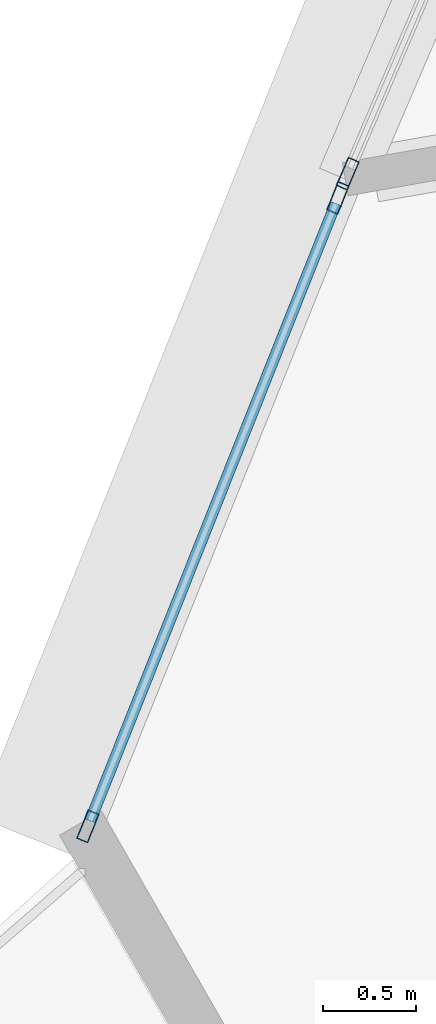
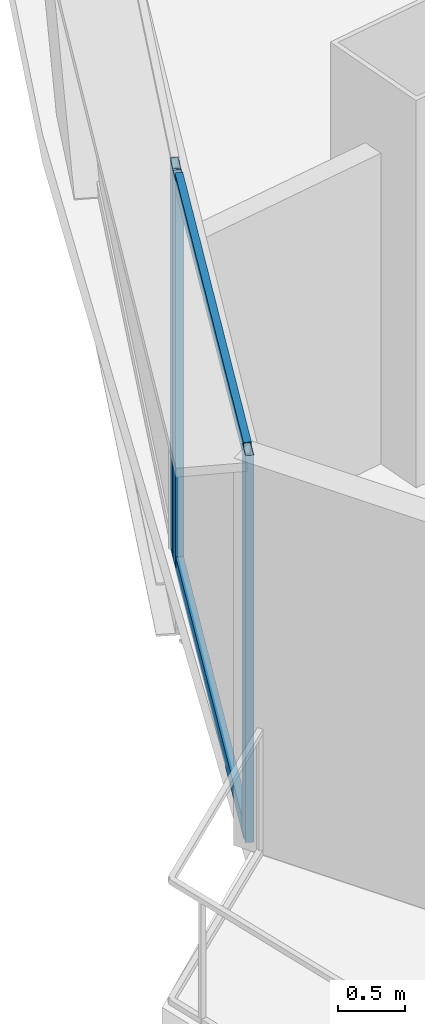
# One storey, part 4 of 37: 5 members, 2 elements without a shape of their own.
"""IFC4 building model written with IfcOpenShell, lengths in metres."""

import ifcopenshell
import ifcopenshell.guid

model = None  # the IFC model being written
_history = None  # IfcOwnerHistory: only IFC2X3 demands one
_inside = {}  # id of a spatial element -> (the spatial element, [elements in it])
_under = {}  # id of a project, library or spatial element -> (it, [spatial elements below it])
_declared = {}  # id of a project -> (the project, [libraries it declares])
_typed = {}  # id of a type object -> (the type object, [elements of that type])
_made_of = {}  # id of a material, layer set ... -> (it, [elements and type objects made of it])


def new_model(schema):
    """Start an empty IFC model of exactly this schema.

    Asked for "IFC4X3", IfcOpenShell would pick the latest addendum, in which some entities
    have other attributes; the version numbers below select the first issue.
    IFC2X3 requires an IfcOwnerHistory on every rooted entity: one is made here for all.
    """
    global model, _history
    if schema == "IFC4X3":
        model = ifcopenshell.file(schema_version=(4, 3, 0, 0))
    else:
        model = ifcopenshell.file(schema=schema)
    _inside.clear()
    _under.clear()
    _declared.clear()
    _typed.clear()
    _made_of.clear()
    _history = None
    if model.schema == "IFC2X3":
        org = make("IfcOrganization", Name="unknown")
        user = make(
            "IfcPersonAndOrganization",
            ThePerson=make("IfcPerson", FamilyName="unknown"),
            TheOrganization=org,
        )
        app = make(
            "IfcApplication",
            ApplicationDeveloper=org,
            Version="unknown",
            ApplicationFullName="unknown",
            ApplicationIdentifier="unknown",
        )
        _history = make(
            "IfcOwnerHistory",
            OwningUser=user,
            OwningApplication=app,
            ChangeAction="ADDED",
            CreationDate=0,
        )
    return model


def make(cls, **values):
    """One entity of the class cls with the attributes given. An attribute that is None is left unset."""
    return model.create_entity(
        cls, **{name: value for name, value in values.items() if value is not None}
    )


def rooted(cls, **values):
    """An entity with a GlobalId (a new one), such as an element, a storey or a relation."""
    return make(cls, GlobalId=ifcopenshell.guid.new(), OwnerHistory=_history, **values)


def si_unit(unit_type, name, prefix=None):
    """IfcSIUnit, for example si_unit("LENGTHUNIT", "METRE", prefix="MILLI")."""
    return make("IfcSIUnit", UnitType=unit_type, Prefix=prefix, Name=name)


def assignment(units):
    """IfcUnitAssignment: the units of a project."""
    return None if units is None else make("IfcUnitAssignment", Units=units)


def point(xyz):
    """IfcCartesianPoint."""
    return None if xyz is None else make("IfcCartesianPoint", Coordinates=xyz)


def direction(xyz):
    """IfcDirection."""
    return None if xyz is None else make("IfcDirection", DirectionRatios=xyz)


def frame(location, z_axis=None, x_axis=None):
    """IfcAxis2Placement3D, a coordinate frame: its origin and axes. An axis left out is left unset."""
    return make(
        "IfcAxis2Placement3D",
        Location=point(location),
        Axis=direction(z_axis),
        RefDirection=direction(x_axis),
    )


def frame_2d(location, x_axis=None):
    """IfcAxis2Placement2D, a coordinate frame in the plane: its origin and x axis."""
    return make(
        "IfcAxis2Placement2D", Location=point(location), RefDirection=direction(x_axis)
    )


def origin():
    """The frame at (0, 0, 0) with its axes left unset."""
    return frame((0.0, 0.0, 0.0))


def origin_2d():
    """The frame at (0, 0) in the plane with its x axis left unset."""
    return frame_2d((0.0, 0.0))


def place(relative_to, where):
    """IfcLocalPlacement: puts the frame where relative to a parent placement (None: the world)."""
    return make(
        "IfcLocalPlacement", PlacementRelTo=relative_to, RelativePlacement=where
    )


def context(
    kind, dimensions, precision=None, world=None, true_north=None, identifier=None
):
    """IfcGeometricRepresentationContext, for example the 3D "Model" context."""
    return make(
        "IfcGeometricRepresentationContext",
        ContextIdentifier=identifier,
        ContextType=kind,
        CoordinateSpaceDimension=dimensions,
        Precision=precision,
        WorldCoordinateSystem=world,
        TrueNorth=true_north,
    )


def subcontext(parent, identifier, kind, view, scale=None):
    """IfcGeometricRepresentationSubContext, for example "Body" below "Model"."""
    return make(
        "IfcGeometricRepresentationSubContext",
        ContextIdentifier=identifier,
        ContextType=kind,
        ParentContext=parent,
        TargetScale=scale,
        TargetView=view,
    )


def project(units=None, contexts=None):
    """IfcProject with its units and contexts."""
    return rooted(
        "IfcProject",
        Name="project",
        RepresentationContexts=contexts,
        UnitsInContext=assignment(units),
    )


def spatial(cls, under=None, at=None, **own):
    """A site, building, storey or space (cls), placed at a placement, below another one or the project."""
    s = rooted(cls, ObjectPlacement=at, **own)
    if under is not None:
        _under.setdefault(under.id(), (under, []))[1].append(s)
    return s


def profile(cls, at=None, kind="AREA", **sizes):
    """A parametric profile (cls). Its sizes go by their IFC names, for example OverallWidth=200.0."""
    return make(cls, ProfileType=kind, Position=at, **sizes)


def hollow_rectangle(**sizes):
    """IfcRectangleHollowProfileDef."""
    return profile("IfcRectangleHollowProfileDef", **sizes)


def extrude(swept, where, along, depth):
    """IfcExtrudedAreaSolid: the profile swept, set in the frame where, extruded along a direction by depth."""
    return make(
        "IfcExtrudedAreaSolid",
        SweptArea=swept,
        Position=where,
        ExtrudedDirection=direction(along),
        Depth=depth,
    )


def shape(context_of_items, identifier, shape_type, items):
    """IfcShapeRepresentation: the items that make up one representation, for example the "Body"."""
    return make(
        "IfcShapeRepresentation",
        ContextOfItems=context_of_items,
        RepresentationIdentifier=identifier,
        RepresentationType=shape_type,
        Items=items,
    )


def source(mapping_origin, context_of_items, identifier, shape_type, items):
    """IfcRepresentationMap: a shape defined once, which mapped items show again and again."""
    return make(
        "IfcRepresentationMap",
        MappingOrigin=mapping_origin,
        MappedRepresentation=shape(context_of_items, identifier, shape_type, items),
    )


def transform(
    local_origin,
    x_axis=None,
    y_axis=None,
    z_axis=None,
    scale=None,
    scale2=None,
    scale3=None,
    uniform=True,
):
    """IfcCartesianTransformationOperator3D, or its non-uniform kind. x_axis, y_axis, z_axis: its Axis1, 2, 3."""
    if uniform:
        return make(
            "IfcCartesianTransformationOperator3D",
            Axis1=direction(x_axis),
            Axis2=direction(y_axis),
            LocalOrigin=point(local_origin),
            Scale=scale,
            Axis3=direction(z_axis),
        )
    return make(
        "IfcCartesianTransformationOperator3DnonUniform",
        Axis1=direction(x_axis),
        Axis2=direction(y_axis),
        LocalOrigin=point(local_origin),
        Scale=scale,
        Axis3=direction(z_axis),
        Scale2=scale2,
        Scale3=scale3,
    )


def mapped(mapping_source, mapping_target):
    """IfcMappedItem: shows the shape of a source again, moved by a transform."""
    return make(
        "IfcMappedItem", MappingSource=mapping_source, MappingTarget=mapping_target
    )


def material(Name=None, Category=None):
    """IfcMaterial."""
    return make("IfcMaterial", Name=Name, Category=Category)


def layer(
    of_material, thickness, ventilated=None, Name=None, Category=None, Priority=None
):
    """IfcMaterialLayer: one layer of a wall or slab, of a material (None: an air gap)."""
    return make(
        "IfcMaterialLayer",
        Material=of_material,
        LayerThickness=thickness,
        IsVentilated=ventilated,
        Name=Name,
        Category=Category,
        Priority=Priority,
    )


def layer_set(layers, Name=None):
    """IfcMaterialLayerSet."""
    return make("IfcMaterialLayerSet", MaterialLayers=layers, LayerSetName=Name)


def material_profile(
    of_material, cross_section, Name=None, Category=None, Priority=None
):
    """IfcMaterialProfile: a cross section and its material."""
    return make(
        "IfcMaterialProfile",
        Name=Name,
        Material=of_material,
        Profile=cross_section,
        Priority=Priority,
        Category=Category,
    )


def profile_set(profiles, Name=None, composite=None):
    """IfcMaterialProfileSet."""
    return make(
        "IfcMaterialProfileSet",
        Name=Name,
        MaterialProfiles=profiles,
        CompositeProfile=composite,
    )


def made_of(thing, what):
    """Note that an element or type object is made of a material, layer set ...; save() writes the relation."""
    if what is not None:
        _made_of.setdefault(what.id(), (what, []))[1].append(thing)
    return thing


def type_object(cls, material=None, **own):
    """A type object (cls), such as IfcWallType, which elements share."""
    return made_of(rooted(cls, **own), material)


def element(
    cls,
    number,
    at=None,
    inside=None,
    cuts=None,
    type_object=None,
    material=None,
    context=None,
    identifier="Body",
    shape_type=None,
    held_by="IfcProductDefinitionShape",
    body=None,
    shapes=None,
    **own,
):
    """One element of the class cls, such as IfcWall. Its Tag is "e" and its number.

    at: its placement. inside: the storey or other place that contains it. cuts: it is an
    opening in that element (IfcRelVoidsElement). A single representation is given by context,
    identifier, shape_type and body (its items); several are given by shapes. held_by: the class
    of the entity that holds the representations. save() writes the other relations.
    """
    e = rooted(cls, Tag="e%d" % number, ObjectPlacement=at, **own)
    if body is not None:
        shapes = [shape(context, identifier, shape_type, body)]
    if shapes is not None:
        e.Representation = make(held_by, Representations=shapes)
    if inside is not None:
        _inside.setdefault(inside.id(), (inside, []))[1].append(e)
    if cuts is not None:
        rooted(
            "IfcRelVoidsElement", RelatingBuildingElement=cuts, RelatedOpeningElement=e
        )
    if type_object is not None:
        _typed.setdefault(type_object.id(), (type_object, []))[1].append(e)
    return made_of(e, material)


def aggregate(whole, parts):
    """IfcRelAggregates: a whole, such as a stair, and the parts it consists of."""
    return rooted("IfcRelAggregates", RelatingObject=whole, RelatedObjects=parts)


def save(model, path):
    """Write the relations noted so far, then the file.

    IfcRelAggregates (storeys below a building ...), IfcRelContainedInSpatialStructure (elements
    in a storey), IfcRelDefinesByType, IfcRelAssociatesMaterial and IfcRelDeclares: one each for
    every whole, place, type object, material and project.
    """
    for whole, parts in _under.values():
        aggregate(whole, parts)
    for where, things in _inside.values():
        rooted(
            "IfcRelContainedInSpatialStructure",
            RelatedElements=things,
            RelatingStructure=where,
        )
    for kind, things in _typed.values():
        rooted("IfcRelDefinesByType", RelatedObjects=things, RelatingType=kind)
    for what, things in _made_of.values():
        rooted("IfcRelAssociatesMaterial", RelatedObjects=things, RelatingMaterial=what)
    for by, libraries in _declared.values():
        rooted("IfcRelDeclares", RelatingContext=by, RelatedDefinitions=libraries)
    model.write(path)


model = new_model("IFC4")

# Units and contexts
model_context = context("Model", 3, precision=1e-05, world=origin(), true_north=direction((0.0, 1.0)))
body_context = subcontext(model_context, "Body", "Model", "MODEL_VIEW")
ifc_project = project(units=[si_unit("LENGTHUNIT", "METRE"), si_unit("AREAUNIT", "SQUARE_METRE"), si_unit("VOLUMEUNIT", "CUBIC_METRE"), si_unit("PLANEANGLEUNIT", "RADIAN"), si_unit("MASSUNIT", "GRAM", prefix="KILO"), si_unit("THERMODYNAMICTEMPERATUREUNIT", "KELVIN"), si_unit("POWERUNIT", "WATT")], contexts=[model_context])

# Site, building, storey
site_placement = place(None, origin())
site = spatial("IfcSite", under=ifc_project, at=site_placement, CompositionType="ELEMENT")
building_placement = place(site_placement, origin())
building = spatial("IfcBuilding", under=site, at=building_placement, Name="Yunzhuo Pagoda Commons", CompositionType="ELEMENT")
storey_placement = place(building_placement, frame((0.0, 0.0, 84.97998046875)))
storey = spatial("IfcBuildingStorey", under=building, at=storey_placement, Name="L21", CompositionType="ELEMENT", Elevation=84.97998046875)

# Curtain wall, member
ifc_material = material(Name="Anodized aluminium 6063-T6", Category="aluminium")
ifc_layer = layer(ifc_material, 0.1650390625)
ifc_layer_set = layer_set([ifc_layer], Name="Anodized aluminium 6063-T6")
curtain_wall_type = type_object("IfcCurtainWallType", Name="CW-LOW Low-Zone Ribbon Curtain Wall", PredefinedType="NOTDEFINED", material=ifc_layer_set)
curtain_wall_1_placement = place(storey_placement, origin())
curtain_wall_1 = element("IfcCurtainWall", 1, at=curtain_wall_1_placement, inside=storey, type_object=curtain_wall_type, Name="L21 curtain wall CW-L21-F3B4", PredefinedType="NOTDEFINED")
ifc_material_profile_1 = material_profile(ifc_material, hollow_rectangle(XDim=0.06494140625, YDim=0.1650390625, WallThickness=0.00390625, at=origin_2d()), Name="Anodized aluminium 6063-T6")
ifc_profile_set_1 = profile_set([ifc_material_profile_1], Name="Anodized aluminium 6063-T6")
member_type_1 = type_object("IfcMemberType", Name="CW-LOW-M Mullion RHS 165x65x4", PredefinedType="MULLION", material=ifc_profile_set_1)
shared_shape_1 = source(origin(), body_context, "Body", "SweptSolid", [
    extrude(hollow_rectangle(XDim=0.06494140625, YDim=0.1650390625, WallThickness=0.00390625, at=origin_2d()), origin(), (0.0, 0.0, 1.0), 3.5400390625),
])
member_1_placement = place(storey_placement, frame((7.270263671875, 26.545654296875, 0.000244140625), z_axis=(0.0, 0.0, 1.0), x_axis=(0.919250024103, -0.39367422215, 0.0)))
member_1 = element("IfcMember", 2, at=member_1_placement, type_object=member_type_1, Name="CW mullion 2", PredefinedType="MULLION", context=body_context, shape_type="MappedRepresentation", body=[
    mapped(shared_shape_1, transform((0.0, 0.0, 0.0), scale=1.0)),
])
aggregate(curtain_wall_1, [member_1])

# Curtain wall, members
curtain_wall_2_placement = place(storey_placement, origin())
curtain_wall_2 = element("IfcCurtainWall", 3, at=curtain_wall_2_placement, inside=storey, type_object=curtain_wall_type, Name="L21 curtain wall CW-L21-F3B5", PredefinedType="NOTDEFINED")
member_2_placement = place(storey_placement, frame((7.217529296875, 26.416015625, 0.000244140625), z_axis=(0.0, 0.0, 1.0), x_axis=(0.929170333828, -0.369651850711, 0.0)))
member_2 = element("IfcMember", 4, at=member_2_placement, type_object=member_type_1, Name="CW mullion 1", PredefinedType="MULLION", context=body_context, shape_type="MappedRepresentation", body=[
    mapped(shared_shape_1, transform((0.0, 0.0, 0.0), scale=1.0)),
])
member_3_placement = place(storey_placement, frame((5.87744140625, 23.0478515625, 0.000244140625), z_axis=(0.0, 0.0, 1.0), x_axis=(0.929170333828, -0.369651850711, 0.0)))
member_3 = element("IfcMember", 5, at=member_3_placement, type_object=member_type_1, Name="CW mullion 2", PredefinedType="MULLION", context=body_context, shape_type="MappedRepresentation", body=[
    mapped(shared_shape_1, transform((0.0, 0.0, 0.0), scale=1.0)),
])
ifc_material_profile_2 = material_profile(ifc_material, hollow_rectangle(XDim=0.06005859375, YDim=0.139892578125, WallThickness=0.00341796875, at=origin_2d()), Name="Anodized aluminium 6063-T6")
ifc_profile_set_2 = profile_set([ifc_material_profile_2], Name="Anodized aluminium 6063-T6")
member_type_2 = type_object("IfcMemberType", Name="CW-LOW-T Transom RHS 140x60x3.5", PredefinedType="USERDEFINED", material=ifc_profile_set_2)
shared_shape_2 = source(origin(), body_context, "Body", "SweptSolid", [
    extrude(hollow_rectangle(XDim=0.06005859375, YDim=0.139892578125, WallThickness=0.00341796875, at=origin_2d()), origin(), (0.0, 0.0, 1.0), 3.56005859375),
])
member_4_placement = place(storey_placement, frame((7.20556640625, 26.3857421875, 0.030029296875), z_axis=(-0.369640073305, -0.929175019147, 0.0), x_axis=(0.929175019147, -0.369640073305, 0.0)))
member_4 = element("IfcMember", 6, at=member_4_placement, type_object=member_type_2, Name="CW transom 1.1", ObjectType="TRANSOM", PredefinedType="USERDEFINED", context=body_context, shape_type="MappedRepresentation", body=[
    mapped(shared_shape_2, transform((0.0, 0.0, 0.0), scale=1.0)),
])
member_5_placement = place(storey_placement, frame((7.20556640625, 26.3857421875, 3.510009765625), z_axis=(-0.369640073305, -0.929175019147, 0.0), x_axis=(0.929175019147, -0.369640073305, 0.0)))
member_5 = element("IfcMember", 7, at=member_5_placement, type_object=member_type_2, Name="CW transom 1.2", ObjectType="TRANSOM", PredefinedType="USERDEFINED", context=body_context, shape_type="MappedRepresentation", body=[
    mapped(shared_shape_2, transform((0.0, 0.0, 0.0), scale=1.0)),
])
aggregate(curtain_wall_2, [member_2, member_3, member_4, member_5])

save(model, "model.ifc")
